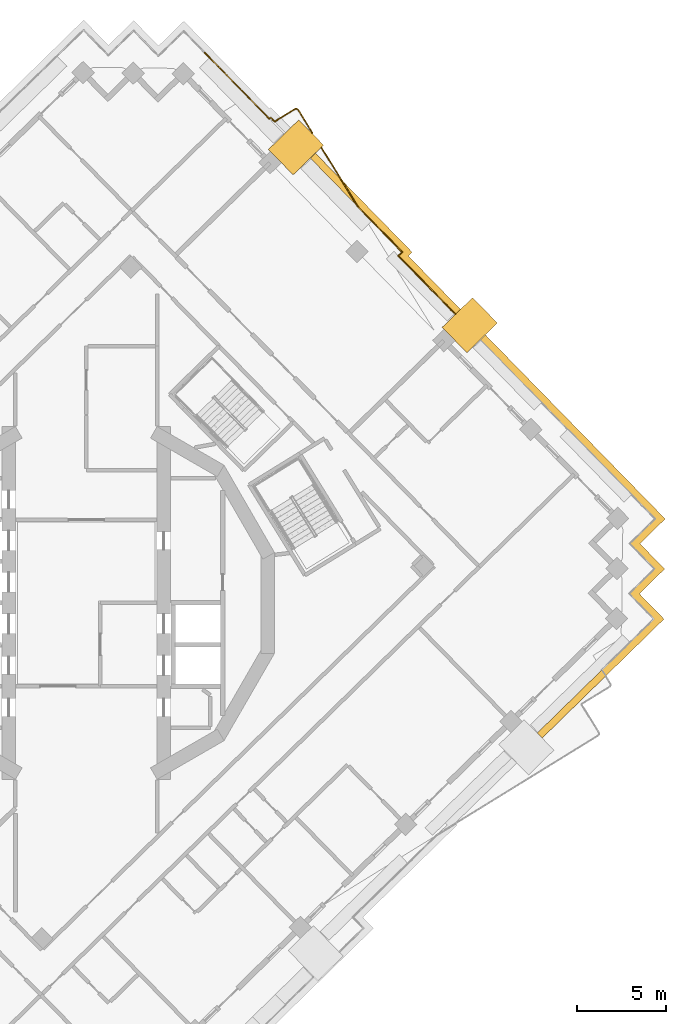
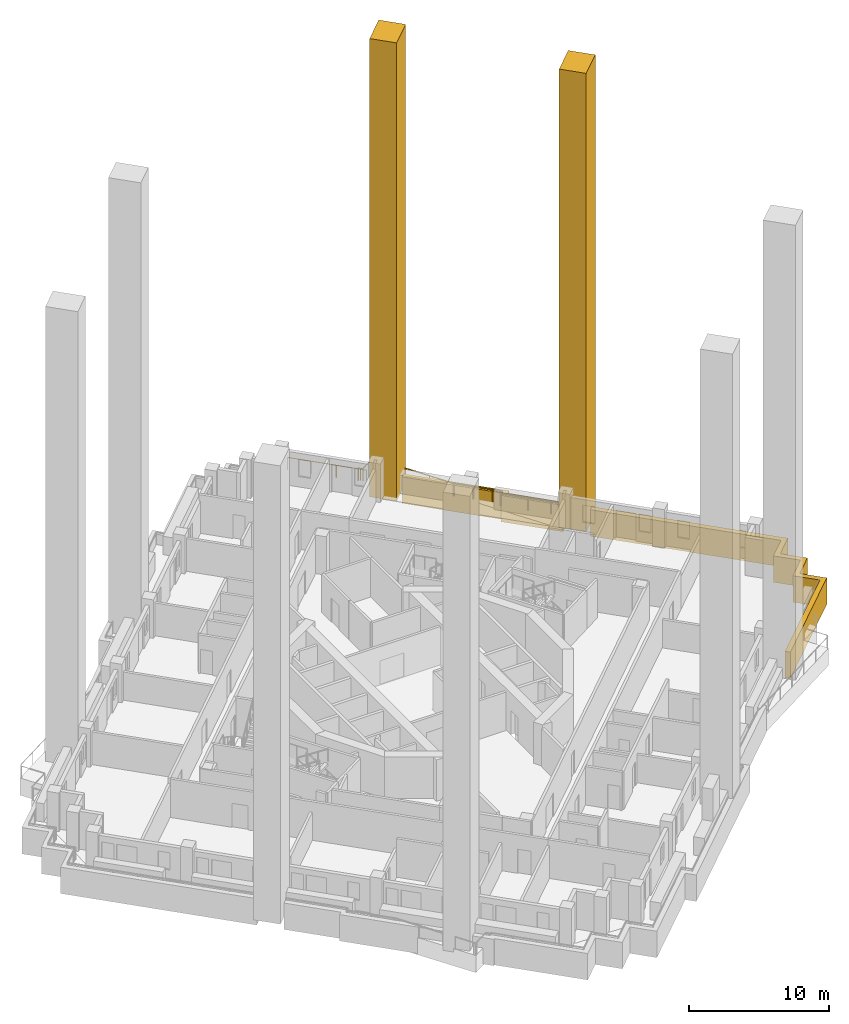
# One storey, part 16 of 17: 4 coverings, 2 railings.
"""IFC4 building model written with IfcOpenShell, lengths in metres."""

from ifc_helpers import new_model, si_unit, direction, frame, origin, origin_2d, place, context, subcontext, project, spatial, polyline, rectangle, circle, outline, extrude, material, type_object, element, save


model = new_model("IFC4")

# Units and contexts
model_context = context("Model", 3, precision=1e-05, world=origin(), true_north=direction((0.0, 1.0)))
body_context = subcontext(model_context, "Body", "Model", "MODEL_VIEW")
ifc_project = project(units=[si_unit("LENGTHUNIT", "METRE"), si_unit("AREAUNIT", "SQUARE_METRE"), si_unit("VOLUMEUNIT", "CUBIC_METRE"), si_unit("PLANEANGLEUNIT", "RADIAN"), si_unit("MASSUNIT", "GRAM", prefix="KILO")], contexts=[model_context])

# Site, building, storey
site_placement = place(None, origin())
site = spatial("IfcSite", under=ifc_project, at=site_placement, CompositionType="ELEMENT")
building_placement = place(site_placement, origin())
building = spatial("IfcBuilding", under=site, at=building_placement, Name="Cantera Rosa Tower", CompositionType="ELEMENT")
storey_placement = place(building_placement, frame((0.0, 0.0, 205.39990234375)))
storey = spatial("IfcBuildingStorey", under=building, at=storey_placement, Name="L43", CompositionType="ELEMENT", Elevation=205.39990234375)

# Railings
ifc_material_1 = material(Name="Stainless steel and laminated glass", Category="steel")
railing_type = type_object("IfcRailingType", Name="GUARD 1100", PredefinedType="BALUSTRADE", material=ifc_material_1)
railing_1_placement = place(storey_placement, frame((6.690673828125, 31.072265625, 0.0)))
element("IfcRailing", 1, at=railing_1_placement, inside=storey, type_object=railing_type, Name="GUARD L43-6", PredefinedType="BALUSTRADE", context=body_context, shape_type="SweptSolid", body=[
    extrude(circle(Radius=0.030029296875, at=origin_2d()), frame((0.0, 0.0, 1.070068359375), z_axis=(0.698829300543, -0.715288479358, 0.0), x_axis=(0.715288479358, 0.698829300543, 0.0)), (0.0, 0.0, 1.0), 3.56005859375),
    extrude(circle(Radius=0.030029296875, at=origin_2d()), frame((2.48779296875, -2.54638671875, 1.070068359375), z_axis=(0.813733471207, -0.581238193719, 0.0), x_axis=(0.581238193719, 0.813733471207, 0.0)), (0.0, 0.0, 1.0), 0.00830078125),
    extrude(circle(Radius=0.030029296875, at=origin_2d()), frame((2.49462890625, -2.55126953125, 1.070068359375), z_axis=(0.761539389696, -0.648118629528, 0.0), x_axis=(0.648118629528, 0.761539389696, 0.0)), (0.0, 0.0, 1.0), 0.01513671875),
    extrude(circle(Radius=0.030029296875, at=origin_2d()), frame((2.506103515625, -2.56103515625, 1.070068359375), z_axis=(0.690857771546, -0.722990691153, 0.0), x_axis=(0.722990691153, 0.690857771546, 0.0)), (0.0, 0.0, 1.0), 0.01513671875),
    extrude(circle(Radius=0.030029296875, at=origin_2d()), frame((2.5166015625, -2.572021484375, 1.070068359375), z_axis=(0.612823519294, -0.790219801195, 0.0), x_axis=(0.790219801195, 0.612823519294, 0.0)), (0.0, 0.0, 1.0), 0.01513671875),
    extrude(circle(Radius=0.030029296875, at=origin_2d()), frame((2.52587890625, -2.583984375, 1.070068359375), z_axis=(0.581238193719, -0.813733471207, 0.0), x_axis=(0.813733471207, 0.581238193719, 0.0)), (0.0, 0.0, 1.0), 0.004150390625),
    extrude(circle(Radius=0.030029296875, at=origin_2d()), frame((2.5283203125, -2.58740234375, 1.070068359375), z_axis=(0.645942241466, -0.763386285369, 0.0), x_axis=(0.763386285369, 0.645942241466, 0.0)), (0.0, 0.0, 1.0), 0.004150390625),
    extrude(circle(Radius=0.030029296875, at=origin_2d()), frame((2.531005859375, -2.590576171875, 1.070068359375), z_axis=(0.698768754832, -0.715347626871, 0.0), x_axis=(0.715347626871, 0.698768754832, 0.0)), (0.0, 0.0, 1.0), 1.59033203125),
    extrude(circle(Radius=0.030029296875, at=origin_2d()), frame((3.642333984375, -3.728271484375, 1.070068359375), z_axis=(0.739940073396, -0.672672793996, 0.0), x_axis=(0.672672793996, 0.739940073396, 0.0)), (0.0, 0.0, 1.0), 0.003662109375),
    extrude(circle(Radius=0.030029296875, at=origin_2d()), frame((3.64501953125, -3.730712890625, 1.070068359375), z_axis=(0.894427191, 0.4472135955, 0.0), x_axis=(-0.4472135955, 0.894427191, 0.0)), (0.0, 0.0, 1.0), 0.00048828125),
    extrude(circle(Radius=0.030029296875, at=origin_2d()), frame((3.6455078125, -3.73046875, 1.070068359375), z_axis=(0.715321289954, 0.698795715598, 0.0), x_axis=(-0.698795715598, 0.715321289954, 0.0)), (0.0, 0.0, 1.0), 0.103515625),
    extrude(circle(Radius=0.030029296875, at=origin_2d()), frame((3.719482421875, -3.658203125, 1.070068359375), z_axis=(0.698473954269, -0.715635476487, 0.0), x_axis=(0.715635476487, 0.698473954269, 0.0)), (0.0, 0.0, 1.0), 0.142333984375),
    extrude(circle(Radius=0.030029296875, at=origin_2d()), frame((3.81884765625, -3.760009765625, 1.070068359375), z_axis=(0.707106781187, -0.707106781187, 0.0), x_axis=(0.707106781187, 0.707106781187, 0.0)), (0.0, 0.0, 1.0), 0.000244140625),
    extrude(circle(Radius=0.030029296875, at=origin_2d()), frame((3.819091796875, -3.76025390625, 1.070068359375), z_axis=(0.698885434985, -0.715233632295, 0.0), x_axis=(0.715233632295, 0.698885434985, 0.0)), (0.0, 0.0, 1.0), 0.17919921875),
    extrude(circle(Radius=0.030029296875, at=origin_2d()), frame((3.9443359375, -3.888427734375, 1.070068359375), z_axis=(0.707106781187, -0.707106781187, 0.0), x_axis=(0.707106781187, 0.707106781187, 0.0)), (0.0, 0.0, 1.0), 0.00341796875),
    extrude(circle(Radius=0.030029296875, at=origin_2d()), frame((3.94677734375, -3.890869140625, 1.070068359375), z_axis=(0.880471099922, 0.474099823035, 0.0), x_axis=(-0.474099823035, 0.880471099922, 0.0)), (0.0, 0.0, 1.0), 0.003662109375),
    extrude(circle(Radius=0.030029296875, at=origin_2d()), frame((3.949951171875, -3.88916015625, 1.070068359375), z_axis=(0.851144764717, 0.524931033085, 0.0), x_axis=(-0.524931033085, 0.851144764717, 0.0)), (0.0, 0.0, 1.0), 1.3232421875),
    extrude(circle(Radius=0.030029296875, at=origin_2d()), frame((5.076171875, -3.194580078125, 1.070068359375), z_axis=(0.873363874328, 0.487068314529, 0.0), x_axis=(-0.487068314529, 0.873363874328, 0.0)), (0.0, 0.0, 1.0), 0.0146484375),
    extrude(circle(Radius=0.030029296875, at=origin_2d()), frame((5.0888671875, -3.1875, 1.070068359375), z_axis=(0.919145030018, 0.393919298579, 0.0), x_axis=(-0.393919298579, 0.919145030018, 0.0)), (0.0, 0.0, 1.0), 0.014892578125),
    extrude(circle(Radius=0.030029296875, at=origin_2d()), frame((5.1025390625, -3.181640625, 1.070068359375), z_axis=(0.953582665134, 0.301131367937, 0.0), x_axis=(-0.301131367937, 0.953582665134, 0.0)), (0.0, 0.0, 1.0), 0.0146484375),
    extrude(circle(Radius=0.030029296875, at=origin_2d()), frame((5.116455078125, -3.17724609375, 1.070068359375), z_axis=(0.976574948551, 0.215177531037, 0.0), x_axis=(-0.215177531037, 0.976574948551, 0.0)), (0.0, 0.0, 1.0), 0.0146484375),
    extrude(circle(Radius=0.030029296875, at=origin_2d()), frame((5.130859375, -3.174072265625, 1.070068359375), z_axis=(0.993263139087, 0.11588069956, 0.0), x_axis=(-0.11588069956, 0.993263139087, 0.0)), (0.0, 0.0, 1.0), 0.0146484375),
    extrude(circle(Radius=0.030029296875, at=origin_2d()), frame((5.1455078125, -3.17236328125, 1.070068359375), z_axis=(1.0, 0.0, 0.0), x_axis=(0.0, 1.0, 0.0)), (0.0, 0.0, 1.0), 0.0146484375),
    extrude(circle(Radius=0.030029296875, at=origin_2d()), frame((5.16015625, -3.17236328125, 1.070068359375), z_axis=(0.996545758245, -0.083045479854, 0.0), x_axis=(0.083045479854, 0.996545758245, 0.0)), (0.0, 0.0, 1.0), 0.0146484375),
    extrude(circle(Radius=0.030029296875, at=origin_2d()), frame((5.1748046875, -3.173583984375, 1.070068359375), z_axis=(0.983606557377, -0.180327868852, 0.0), x_axis=(0.180327868852, 0.983606557377, 0.0)), (0.0, 0.0, 1.0), 0.014892578125),
    extrude(circle(Radius=0.030029296875, at=origin_2d()), frame((5.189453125, -3.17626953125, 1.070068359375), z_axis=(0.959628543885, -0.281270435277, 0.0), x_axis=(0.281270435277, 0.959628543885, 0.0)), (0.0, 0.0, 1.0), 0.0146484375),
    extrude(circle(Radius=0.030029296875, at=origin_2d()), frame((5.20361328125, -3.180419921875, 1.070068359375), z_axis=(0.93075149344, -0.365652372423, 0.0), x_axis=(0.365652372423, 0.93075149344, 0.0)), (0.0, 0.0, 1.0), 0.0146484375),
    extrude(circle(Radius=0.030029296875, at=origin_2d()), frame((5.21728515625, -3.185791015625, 1.070068359375), z_axis=(0.884193384074, -0.467121033096, 0.0), x_axis=(0.467121033096, 0.884193384074, 0.0)), (0.0, 0.0, 1.0), 0.0146484375),
    extrude(circle(Radius=0.030029296875, at=origin_2d()), frame((5.230224609375, -3.192626953125, 1.070068359375), z_axis=(0.839570157152, -0.543251278157, 0.0), x_axis=(0.543251278157, 0.839570157152, 0.0)), (0.0, 0.0, 1.0), 0.014892578125),
    extrude(circle(Radius=0.030029296875, at=origin_2d()), frame((5.24267578125, -3.20068359375, 1.070068359375), z_axis=(0.785737878313, -0.618559606331, 0.0), x_axis=(0.618559606331, 0.785737878313, 0.0)), (0.0, 0.0, 1.0), 0.0146484375),
    extrude(circle(Radius=0.030029296875, at=origin_2d()), frame((5.254150390625, -3.209716796875, 1.070068359375), z_axis=(0.715376179206, -0.698739523875, 0.0), x_axis=(0.698739523875, 0.715376179206, 0.0)), (0.0, 0.0, 1.0), 0.0146484375),
    extrude(circle(Radius=0.030029296875, at=origin_2d()), frame((5.2646484375, -3.219970703125, 1.070068359375), z_axis=(0.646685251635, -0.762756963467, 0.0), x_axis=(0.762756963467, 0.646685251635, 0.0)), (0.0, 0.0, 1.0), 0.0146484375),
    extrude(circle(Radius=0.030029296875, at=origin_2d()), frame((5.274169921875, -3.231201171875, 1.070068359375), z_axis=(0.562310021407, -0.82692650207, 0.0), x_axis=(0.82692650207, 0.562310021407, 0.0)), (0.0, 0.0, 1.0), 0.0146484375),
    extrude(circle(Radius=0.030029296875, at=origin_2d()), frame((5.282470703125, -3.243408203125, 1.070068359375), z_axis=(0.524988022652, -0.851109614604, 0.0), x_axis=(0.851109614604, 0.524988022652, 0.0)), (0.0, 0.0, 1.0), 1.513671875),
    extrude(circle(Radius=0.02490234375, at=origin_2d()), origin(), (0.0, 0.0, 1.0), 1.0400390625),
    extrude(circle(Radius=0.02490234375, at=origin_2d()), frame((1.243896484375, -1.273193359375, 0.0)), (0.0, 0.0, 1.0), 1.0400390625),
    extrude(circle(Radius=0.02490234375, at=origin_2d()), frame((2.48779296875, -2.54638671875, 0.0)), (0.0, 0.0, 1.0), 1.0400390625),
    extrude(circle(Radius=0.02490234375, at=origin_2d()), frame((2.49462890625, -2.55126953125, 0.0)), (0.0, 0.0, 1.0), 1.0400390625),
    extrude(circle(Radius=0.02490234375, at=origin_2d()), frame((2.506103515625, -2.56103515625, 0.0)), (0.0, 0.0, 1.0), 1.0400390625),
    extrude(circle(Radius=0.02490234375, at=origin_2d()), frame((2.5166015625, -2.572021484375, 0.0)), (0.0, 0.0, 1.0), 1.0400390625),
    extrude(circle(Radius=0.02490234375, at=origin_2d()), frame((2.52587890625, -2.583984375, 0.0)), (0.0, 0.0, 1.0), 1.0400390625),
    extrude(circle(Radius=0.02490234375, at=origin_2d()), frame((2.5283203125, -2.58740234375, 0.0)), (0.0, 0.0, 1.0), 1.0400390625),
    extrude(circle(Radius=0.02490234375, at=origin_2d()), frame((2.531005859375, -2.590576171875, 0.0)), (0.0, 0.0, 1.0), 1.0400390625),
    extrude(circle(Radius=0.02490234375, at=origin_2d()), frame((3.642333984375, -3.728271484375, 0.0)), (0.0, 0.0, 1.0), 1.0400390625),
    extrude(circle(Radius=0.02490234375, at=origin_2d()), frame((3.64501953125, -3.730712890625, 0.0)), (0.0, 0.0, 1.0), 1.0400390625),
    extrude(circle(Radius=0.02490234375, at=origin_2d()), frame((3.6455078125, -3.73046875, 0.0)), (0.0, 0.0, 1.0), 1.0400390625),
    extrude(circle(Radius=0.02490234375, at=origin_2d()), frame((3.719482421875, -3.658203125, 0.0)), (0.0, 0.0, 1.0), 1.0400390625),
    extrude(circle(Radius=0.02490234375, at=origin_2d()), frame((3.81884765625, -3.760009765625, 0.0)), (0.0, 0.0, 1.0), 1.0400390625),
    extrude(circle(Radius=0.02490234375, at=origin_2d()), frame((3.819091796875, -3.76025390625, 0.0)), (0.0, 0.0, 1.0), 1.0400390625),
    extrude(circle(Radius=0.02490234375, at=origin_2d()), frame((3.9443359375, -3.888427734375, 0.0)), (0.0, 0.0, 1.0), 1.0400390625),
    extrude(circle(Radius=0.02490234375, at=origin_2d()), frame((3.94677734375, -3.890869140625, 0.0)), (0.0, 0.0, 1.0), 1.0400390625),
    extrude(circle(Radius=0.02490234375, at=origin_2d()), frame((3.949951171875, -3.88916015625, 0.0)), (0.0, 0.0, 1.0), 1.0400390625),
    extrude(circle(Radius=0.02490234375, at=origin_2d()), frame((5.076171875, -3.194580078125, 0.0)), (0.0, 0.0, 1.0), 1.0400390625),
    extrude(circle(Radius=0.02490234375, at=origin_2d()), frame((5.0888671875, -3.1875, 0.0)), (0.0, 0.0, 1.0), 1.0400390625),
    extrude(circle(Radius=0.02490234375, at=origin_2d()), frame((5.1025390625, -3.181640625, 0.0)), (0.0, 0.0, 1.0), 1.0400390625),
    extrude(circle(Radius=0.02490234375, at=origin_2d()), frame((5.116455078125, -3.17724609375, 0.0)), (0.0, 0.0, 1.0), 1.0400390625),
    extrude(circle(Radius=0.02490234375, at=origin_2d()), frame((5.130859375, -3.174072265625, 0.0)), (0.0, 0.0, 1.0), 1.0400390625),
    extrude(circle(Radius=0.02490234375, at=origin_2d()), frame((5.1455078125, -3.17236328125, 0.0)), (0.0, 0.0, 1.0), 1.0400390625),
    extrude(circle(Radius=0.02490234375, at=origin_2d()), frame((5.16015625, -3.17236328125, 0.0)), (0.0, 0.0, 1.0), 1.0400390625),
    extrude(circle(Radius=0.02490234375, at=origin_2d()), frame((5.1748046875, -3.173583984375, 0.0)), (0.0, 0.0, 1.0), 1.0400390625),
    extrude(circle(Radius=0.02490234375, at=origin_2d()), frame((5.189453125, -3.17626953125, 0.0)), (0.0, 0.0, 1.0), 1.0400390625),
    extrude(circle(Radius=0.02490234375, at=origin_2d()), frame((5.20361328125, -3.180419921875, 0.0)), (0.0, 0.0, 1.0), 1.0400390625),
    extrude(circle(Radius=0.02490234375, at=origin_2d()), frame((5.21728515625, -3.185791015625, 0.0)), (0.0, 0.0, 1.0), 1.0400390625),
    extrude(circle(Radius=0.02490234375, at=origin_2d()), frame((5.230224609375, -3.192626953125, 0.0)), (0.0, 0.0, 1.0), 1.0400390625),
    extrude(circle(Radius=0.02490234375, at=origin_2d()), frame((5.24267578125, -3.20068359375, 0.0)), (0.0, 0.0, 1.0), 1.0400390625),
    extrude(circle(Radius=0.02490234375, at=origin_2d()), frame((5.254150390625, -3.209716796875, 0.0)), (0.0, 0.0, 1.0), 1.0400390625),
    extrude(circle(Radius=0.02490234375, at=origin_2d()), frame((5.2646484375, -3.219970703125, 0.0)), (0.0, 0.0, 1.0), 1.0400390625),
    extrude(circle(Radius=0.02490234375, at=origin_2d()), frame((5.274169921875, -3.231201171875, 0.0)), (0.0, 0.0, 1.0), 1.0400390625),
    extrude(circle(Radius=0.02490234375, at=origin_2d()), frame((5.282470703125, -3.243408203125, 0.0)), (0.0, 0.0, 1.0), 1.0400390625),
    extrude(circle(Radius=0.02490234375, at=origin_2d()), frame((6.0771484375, -4.53173828125, 0.0)), (0.0, 0.0, 1.0), 1.0400390625),
])
railing_2_placement = place(storey_placement, frame((13.28515625, 25.70166015625, 0.0)))
element("IfcRailing", 2, at=railing_2_placement, inside=storey, type_object=railing_type, Name="GUARD L43-7", PredefinedType="BALUSTRADE", context=body_context, shape_type="SweptSolid", body=[
    extrude(circle(Radius=0.030029296875, at=origin_2d()), frame((0.0, 0.0, 1.070068359375), z_axis=(0.524969978728, -0.851120744333, 0.0), x_axis=(0.851120744333, 0.524969978728, 0.0)), (0.0, 0.0, 1.0), 3.917236328125),
    extrude(circle(Radius=0.030029296875, at=origin_2d()), frame((2.056396484375, -3.333984375, 1.070068359375), z_axis=(0.581238193719, -0.813733471207, 0.0), x_axis=(0.813733471207, 0.581238193719, 0.0)), (0.0, 0.0, 1.0), 0.004150390625),
    extrude(circle(Radius=0.030029296875, at=origin_2d()), frame((2.058837890625, -3.33740234375, 1.070068359375), z_axis=(0.675724628517, -0.737154140201, 0.0), x_axis=(0.737154140201, 0.675724628517, 0.0)), (0.0, 0.0, 1.0), 0.00390625),
    extrude(circle(Radius=0.030029296875, at=origin_2d()), frame((2.0615234375, -3.34033203125, 1.070068359375), z_axis=(0.698808355284, -0.715308942056, 0.0), x_axis=(0.715308942056, 0.698808355284, 0.0)), (0.0, 0.0, 1.0), 2.870361328125),
    extrude(circle(Radius=0.030029296875, at=origin_2d()), frame((4.0673828125, -5.3935546875, 1.070068359375), z_axis=(0.698785609232, -0.7153311627, 0.0), x_axis=(0.7153311627, 0.698785609232, 0.0)), (0.0, 0.0, 1.0), 0.693603515625),
    extrude(circle(Radius=0.030029296875, at=origin_2d()), frame((4.552001953125, -5.8896484375, 1.070068359375), z_axis=(-0.715177980006, -0.698942384546, 0.0), x_axis=(0.698942384546, -0.715177980006, 0.0)), (0.0, 0.0, 1.0), 0.30078125),
    extrude(circle(Radius=0.030029296875, at=origin_2d()), frame((4.3369140625, -6.099853515625, 1.070068359375), z_axis=(-0.66436383883, -0.747409318684, 0.0), x_axis=(0.747409318684, -0.66436383883, 0.0)), (0.0, 0.0, 1.0), 0.0029296875),
    extrude(circle(Radius=0.030029296875, at=origin_2d()), frame((4.3349609375, -6.10205078125, 1.070068359375), z_axis=(0.633237790257, -0.773957299203, 0.0), x_axis=(0.773957299203, 0.633237790257, 0.0)), (0.0, 0.0, 1.0), 0.00341796875),
    extrude(circle(Radius=0.030029296875, at=origin_2d()), frame((4.337158203125, -6.104736328125, 1.070068359375), z_axis=(0.69888899978, -0.715230148964, 0.0), x_axis=(0.715230148964, 0.69888899978, 0.0)), (0.0, 0.0, 1.0), 2.001953125),
    extrude(circle(Radius=0.030029296875, at=origin_2d()), frame((5.736328125, -7.53662109375, 1.070068359375), z_axis=(0.698851636563, -0.715266656621, 0.0), x_axis=(0.715266656621, 0.698851636563, 0.0)), (0.0, 0.0, 1.0), 1.71044921875),
    extrude(circle(Radius=0.030029296875, at=origin_2d()), frame((6.931640625, -8.760009765625, 1.070068359375), z_axis=(0.698779602308, -0.715337030636, 0.0), x_axis=(0.715337030636, 0.698779602308, 0.0)), (0.0, 0.0, 1.0), 0.869873046875),
    extrude(circle(Radius=0.02490234375, at=origin_2d()), origin(), (0.0, 0.0, 1.0), 1.0400390625),
    extrude(circle(Radius=0.02490234375, at=origin_2d()), frame((1.0283203125, -1.6669921875, 0.0)), (0.0, 0.0, 1.0), 1.0400390625),
    extrude(circle(Radius=0.02490234375, at=origin_2d()), frame((2.056396484375, -3.333984375, 0.0)), (0.0, 0.0, 1.0), 1.0400390625),
    extrude(circle(Radius=0.02490234375, at=origin_2d()), frame((2.058837890625, -3.33740234375, 0.0)), (0.0, 0.0, 1.0), 1.0400390625),
    extrude(circle(Radius=0.02490234375, at=origin_2d()), frame((2.0615234375, -3.34033203125, 0.0)), (0.0, 0.0, 1.0), 1.0400390625),
    extrude(circle(Radius=0.02490234375, at=origin_2d()), frame((3.064453125, -4.366943359375, 0.0)), (0.0, 0.0, 1.0), 1.0400390625),
    extrude(circle(Radius=0.02490234375, at=origin_2d()), frame((4.0673828125, -5.3935546875, 0.0)), (0.0, 0.0, 1.0), 1.0400390625),
    extrude(circle(Radius=0.02490234375, at=origin_2d()), frame((4.552001953125, -5.8896484375, 0.0)), (0.0, 0.0, 1.0), 1.0400390625),
    extrude(circle(Radius=0.02490234375, at=origin_2d()), frame((4.3369140625, -6.099853515625, 0.0)), (0.0, 0.0, 1.0), 1.0400390625),
    extrude(circle(Radius=0.02490234375, at=origin_2d()), frame((4.3349609375, -6.10205078125, 0.0)), (0.0, 0.0, 1.0), 1.0400390625),
    extrude(circle(Radius=0.02490234375, at=origin_2d()), frame((4.337158203125, -6.104736328125, 0.0)), (0.0, 0.0, 1.0), 1.0400390625),
    extrude(circle(Radius=0.02490234375, at=origin_2d()), frame((5.736328125, -7.53662109375, 0.0)), (0.0, 0.0, 1.0), 1.0400390625),
    extrude(circle(Radius=0.02490234375, at=origin_2d()), frame((6.931640625, -8.760009765625, 0.0)), (0.0, 0.0, 1.0), 1.0400390625),
    extrude(circle(Radius=0.02490234375, at=origin_2d()), frame((7.53955078125, -9.38232421875, 0.0)), (0.0, 0.0, 1.0), 1.0400390625),
])

# Coverings
ifc_material_2 = material(Name="Cantera stone", Category="masonry")
covering_type_1 = type_object("IfcCoveringType", Name="STONE FIN 2000x2400", PredefinedType="CLADDING", material=ifc_material_2)
for number, where, z_axis, x_axis, name in (
    (3, (21.65185546875, 15.687255859375, -0.2998046875), (0.0, 0.0, 1.0), (-0.698831540364, 0.71528629107, 0.0), "STONE FIN FN-Z4-01"),
    (4, (11.840087890625, 25.72998046875, -0.2998046875), (0.0, 0.0, 1.0), (-0.698831540364, 0.71528629107, 0.0), "STONE FIN FN-Z4-02"),
):
    element("IfcCovering", number, at=place(storey_placement, frame(where, z_axis=z_axis, x_axis=x_axis)), inside=storey, type_object=covering_type_1, Name=name, PredefinedType="CLADDING", context=body_context, shape_type="SweptSolid", body=[
        extrude(rectangle(XDim=2.0, YDim=2.39990234375, at=origin_2d()), origin(), (0.0, 0.0, 1.0), 39.89990234375),
    ])
ifc_material_3 = material(Name="Cantera stone", Category="masonry")
covering_type_2 = type_object("IfcCoveringType", Name="TRAY FASCIA 400", PredefinedType="CLADDING", material=ifc_material_3)
covering_1_placement = place(storey_placement, frame((0.0, 0.0, -1.39990234375)))
element("IfcCovering", 5, at=covering_1_placement, inside=storey, type_object=covering_type_2, Name="TRAY FASCIA L43-05", PredefinedType="CLADDING", context=body_context, shape_type="SweptSolid", body=[
    extrude(outline(polyline([(18.40283203125, 19.805419921875), (18.185546875, 19.593017578125), (20.502685546875, 17.22119140625), (21.124755859375, 16.58447265625), (20.838623046875, 16.304931640625), (20.216796875, 16.941650390625), (17.619873046875, 19.599609375), (17.837158203125, 19.81201171875), (12.656005859375, 25.114990234375), (12.942138671875, 25.39453125), (18.40283203125, 19.805419921875)])), origin(), (0.0, 0.0, 1.0), 2.300048828125),
])
covering_2_placement = place(storey_placement, frame((0.0, 0.0, -1.39990234375)))
element("IfcCovering", 6, at=covering_2_placement, inside=storey, type_object=covering_type_2, Name="TRAY FASCIA L43-06", PredefinedType="CLADDING", context=body_context, shape_type="SweptSolid", body=[
    extrude(outline(polyline([(22.599365234375, 15.0751953125), (25.40869140625, 12.19970703125), (27.505126953125, 10.053955078125), (31.362548828125, 6.10546875), (32.6904296875, 4.74658203125), (31.331298828125, 3.418701171875), (31.259765625, 3.348876953125), (31.329833984375, 3.27734375), (32.657470703125, 1.918212890625), (31.298583984375, 0.590576171875), (31.22705078125, 0.5205078125), (32.62451171875, -0.909912109375), (31.265625, -2.23779296875), (26.38720703125, -7.00390625), (25.750732421875, -7.625732421875), (25.47119140625, -7.339599609375), (26.107666015625, -6.7177734375), (30.986083984375, -1.95166015625), (32.058837890625, -0.9033203125), (31.0107421875, 0.16943359375), (30.661376953125, 0.527099609375), (31.01904296875, 0.87646484375), (32.091796875, 1.9248046875), (31.043701171875, 2.997802734375), (30.694091796875, 3.35546875), (31.0517578125, 3.704833984375), (32.124755859375, 4.753173828125), (31.076416015625, 5.825927734375), (27.218994140625, 9.7744140625), (25.12255859375, 11.920166015625), (22.313232421875, 14.795654296875), (22.250244140625, 14.860107421875), (22.536376953125, 15.1396484375), (22.599365234375, 15.0751953125)])), origin(), (0.0, 0.0, 1.0), 2.300048828125),
])

save(model, "model.ifc")
